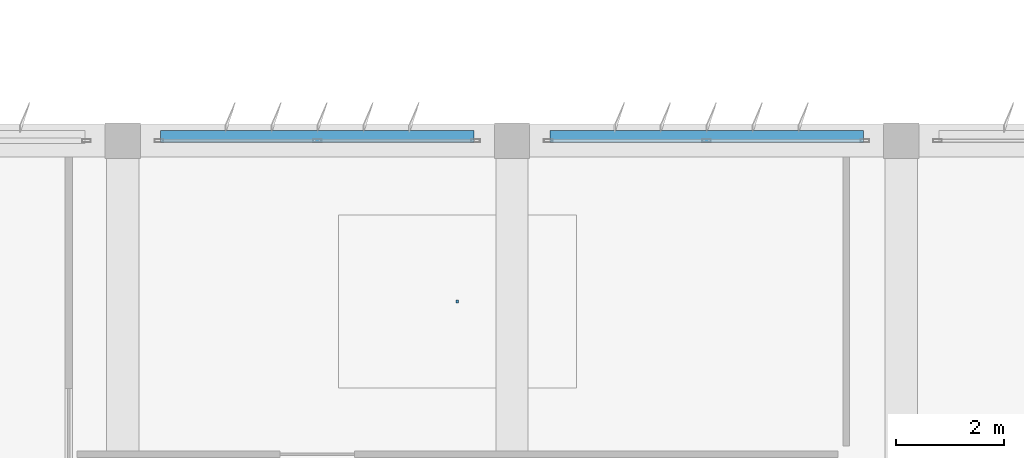
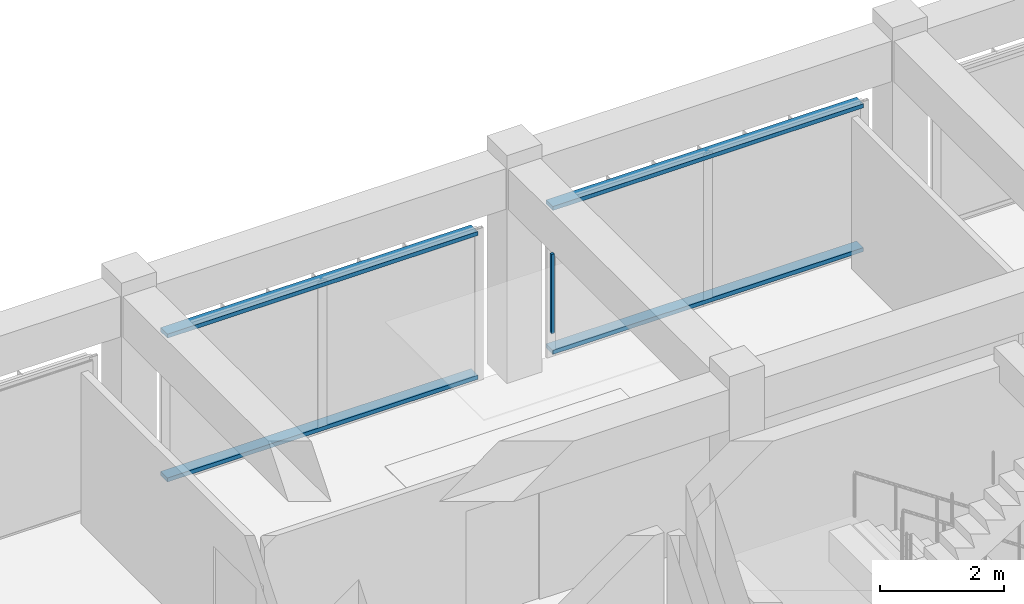
# One storey, part 45 of 56: 5 discrete accessories.
"""IFC4 building model written with IfcOpenShell, lengths in metres."""

from ifc_helpers import new_model, si_unit, direction, frame, origin, origin_2d, place, context, subcontext, project, spatial, rectangle, extrude, material, type_object, element, save


model = new_model("IFC4")

# Units and contexts
model_context = context("Model", 3, precision=1e-05, world=origin(), true_north=direction((0.0, 1.0)))
body_context = subcontext(model_context, "Body", "Model", "MODEL_VIEW")
ifc_project = project(units=[si_unit("LENGTHUNIT", "METRE"), si_unit("AREAUNIT", "SQUARE_METRE"), si_unit("VOLUMEUNIT", "CUBIC_METRE"), si_unit("PLANEANGLEUNIT", "RADIAN"), si_unit("MASSUNIT", "GRAM", prefix="KILO")], contexts=[model_context])

# Site, building, storey
site_placement = place(None, origin())
site = spatial("IfcSite", under=ifc_project, at=site_placement, CompositionType="ELEMENT")
building_placement = place(site_placement, origin())
building = spatial("IfcBuilding", under=site, at=building_placement, Name="Kazehaya Institute of Natural Sciences", CompositionType="ELEMENT")
storey_placement = place(building_placement, frame((0.0, 0.0, 28.800048828125)))
storey = spatial("IfcBuildingStorey", under=building, at=storey_placement, Name="L06", CompositionType="ELEMENT", Elevation=28.800048828125)

# Discrete accessories
ifc_material_1 = material(Name="Aluminium alloy A6063S-T5", Category="aluminium")
discrete_accessory_type_1 = type_object("IfcDiscreteAccessoryType", Name="ACC-BRK-01", PredefinedType="BRACKET", material=ifc_material_1)
for number, where, z_axis, x_axis, name in (
    (1, (101.39990234375, 35.675048828125, 0.039794921875), (0.0, 0.0, 1.0), (1.0, 0.0, 0.0), "L06 fin support outrigger rail 1"),
    (2, (101.39990234375, 35.675048828125, 2.8798828125), (0.0, 0.0, 1.0), (1.0, 0.0, 0.0), "L06 fin support outrigger rail 2"),
    (3, (108.60009765625, 35.675048828125, 0.039794921875), (0.0, 0.0, 1.0), (1.0, 0.0, 0.0), "L06 fin support outrigger rail 1"),
    (4, (108.60009765625, 35.675048828125, 2.8798828125), (0.0, 0.0, 1.0), (1.0, 0.0, 0.0), "L06 fin support outrigger rail 2"),
):
    element("IfcDiscreteAccessory", number, at=place(storey_placement, frame(where, z_axis=z_axis, x_axis=x_axis)), inside=storey, type_object=discrete_accessory_type_1, Name=name, PredefinedType="BRACKET", context=body_context, shape_type="SweptSolid", body=[
        extrude(rectangle(XDim=5.800048828125, YDim=0.219970703125, at=origin_2d()), origin(), (0.0, 0.0, 1.0), 0.080078125),
    ])
ifc_material_2 = material(Name="Structural steel SN490B", Category="steel")
discrete_accessory_type_2 = type_object("IfcDiscreteAccessoryType", Name="ACC-CLG-HGR", PredefinedType="BRACKET", material=ifc_material_2)
discrete_accessory_placement = place(storey_placement, frame((103.989990234375, 32.625, 2.8525390625), z_axis=(0.0, 0.0, 1.0), x_axis=(1.0, 0.0, 0.0)))
element("IfcDiscreteAccessory", 5, at=discrete_accessory_placement, inside=storey, type_object=discrete_accessory_type_2, Name="L06 ceiling suspension hanger 60", PredefinedType="BRACKET", context=body_context, shape_type="SweptSolid", body=[
    extrude(rectangle(XDim=0.050048828125, YDim=0.050048828125, at=origin_2d()), origin(), (0.0, 0.0, 1.0), 1.5673828125),
])

save(model, "model.ifc")
